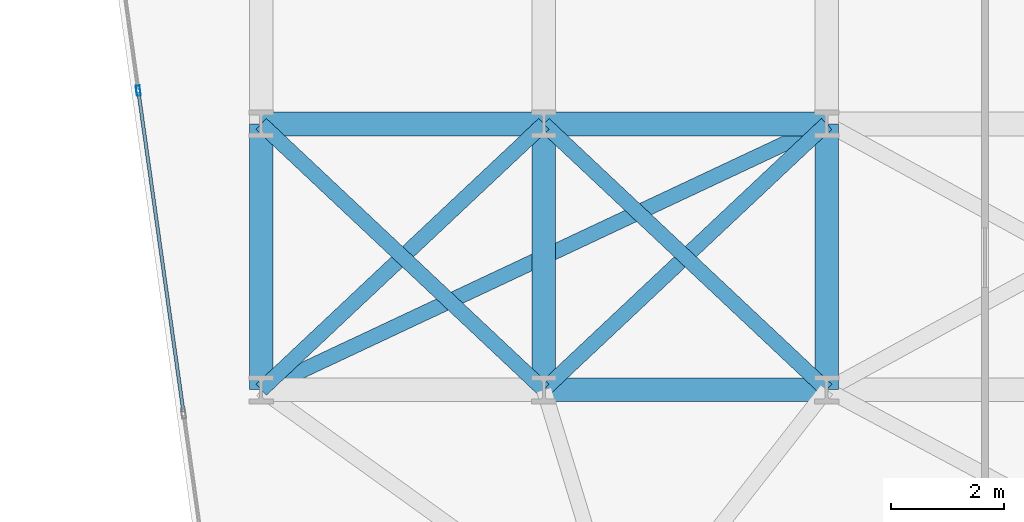
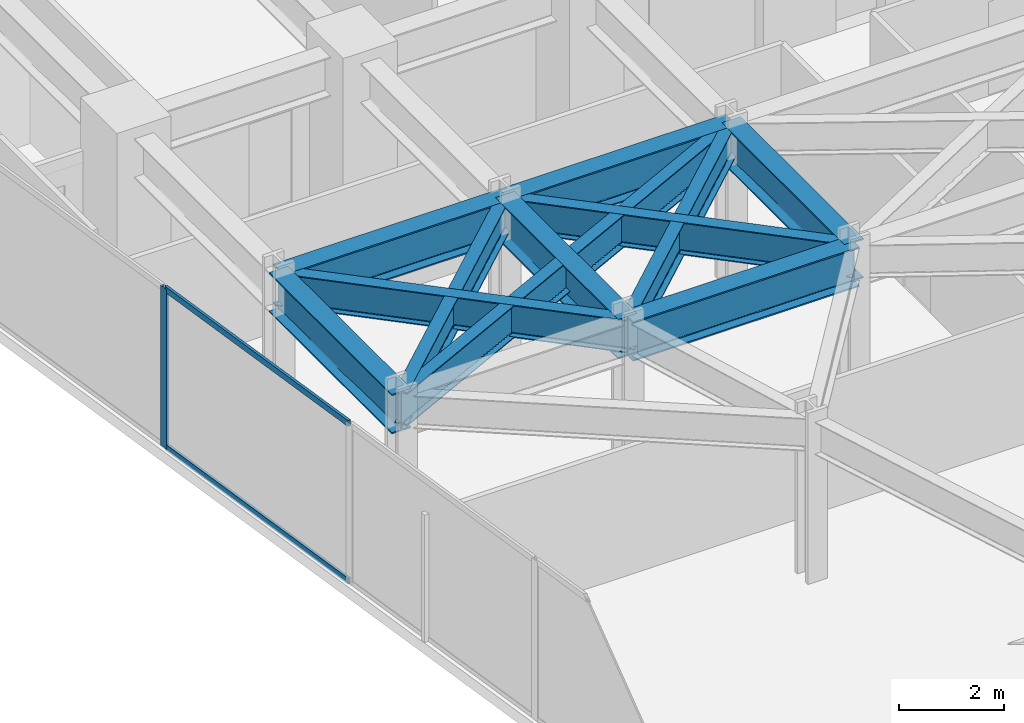
# One storey, part 8 of 24: 11 beams, 3 members, 1 element without a shape of its own.
"""IFC4 building model written with IfcOpenShell, lengths in metres."""

from ifc_helpers import new_model, si_unit, direction, frame, origin, origin_2d, place, context, subcontext, project, spatial, hollow_rectangle, i_section, extrude, material, layer, layer_set, material_profile, profile_set, type_object, element, aggregate, save


model = new_model("IFC4")

# Units and contexts
model_context = context("Model", 3, precision=1e-05, world=origin(), true_north=direction((0.0, 1.0)))
body_context = subcontext(model_context, "Body", "Model", "MODEL_VIEW")
ifc_project = project(units=[si_unit("LENGTHUNIT", "METRE"), si_unit("AREAUNIT", "SQUARE_METRE"), si_unit("VOLUMEUNIT", "CUBIC_METRE"), si_unit("PLANEANGLEUNIT", "RADIAN"), si_unit("MASSUNIT", "GRAM", prefix="KILO")], contexts=[model_context])

# Site, building, storey
site_placement = place(None, origin())
site = spatial("IfcSite", under=ifc_project, at=site_placement, CompositionType="ELEMENT")
building_placement = place(site_placement, origin())
building = spatial("IfcBuilding", under=site, at=building_placement, Name="Kravanh Interchange Tower", CompositionType="ELEMENT")
storey_placement = place(building_placement, frame((0.0, 0.0, 69.5)))
storey = spatial("IfcBuildingStorey", under=building, at=storey_placement, Name="L16", CompositionType="ELEMENT", Elevation=69.5)

# Curtain wall, members
ifc_material_1 = material(Name="Anodised Bronze Aluminium", Category="aluminium")
ifc_layer = layer(ifc_material_1, 0.179931640625)
ifc_layer_set = layer_set([ifc_layer], Name="Unitised Curtain Wall System CW-Z1 Lower Office")
curtain_wall_type = type_object("IfcCurtainWallType", Name="Unitised Curtain Wall System CW-Z1 Lower Office", PredefinedType="NOTDEFINED", material=ifc_layer_set)
curtain_wall_placement = place(storey_placement, origin())
curtain_wall = element("IfcCurtainWall", 1, at=curtain_wall_placement, inside=storey, type_object=curtain_wall_type, Name="L16 Unitised Curtain Wall CW-L16-01", PredefinedType="NOTDEFINED")
ifc_material_2 = material(Name="Anodised Bronze Aluminium", Category="aluminium")
ifc_material_profile_1 = material_profile(ifc_material_2, hollow_rectangle(XDim=0.070068359375, YDim=0.179931640625, WallThickness=0.00390625, at=origin_2d()), Name="ALU70X180X4")
ifc_profile_set_1 = profile_set([ifc_material_profile_1], Name="Anodised Bronze Aluminium")
member_type_1 = type_object("IfcMemberType", Name="Curtain Wall Mullion ALU70X180X4 Bronze", PredefinedType="MULLION", material=ifc_profile_set_1)
member_1_placement = place(storey_placement, frame((6.427490234375, 32.08935546875, 0.0), z_axis=(0.0, 0.0, 1.0), x_axis=(-0.990267585682, -0.139176538065, 0.0)))
member_1 = element("IfcMember", 2, at=member_1_placement, type_object=member_type_1, Name="CW-Z1 mullion 6", PredefinedType="MULLION", context=body_context, shape_type="SweptSolid", body=[
    extrude(hollow_rectangle(XDim=0.070068359375, YDim=0.179931640625, WallThickness=0.00390625, at=origin_2d()), origin(), (0.0, 0.0, 1.0), 3.739990234375),
])
ifc_material_3 = material(Name="Anodised Bronze Aluminium", Category="aluminium")
ifc_material_profile_2 = material_profile(ifc_material_3, hollow_rectangle(XDim=0.06005859375, YDim=0.139892578125, WallThickness=0.00390625, at=origin_2d()), Name="ALU60X140X4")
ifc_profile_set_2 = profile_set([ifc_material_profile_2], Name="Anodised Bronze Aluminium")
member_type_2 = type_object("IfcMemberType", Name="Curtain Wall Transom ALU60X140X4 Bronze", PredefinedType="USERDEFINED", material=ifc_profile_set_2)
member_2_placement = place(storey_placement, frame((7.22509765625, 26.41357421875, 0.030029296875), z_axis=(-0.139158957544, 0.990270056366, 0.0), x_axis=(-0.990270056366, -0.139158957544, 0.0)))
member_2 = element("IfcMember", 3, at=member_2_placement, type_object=member_type_2, Name="CW-Z1 transom 5.1", ObjectType="TRANSOM", PredefinedType="USERDEFINED", context=body_context, shape_type="SweptSolid", body=[
    extrude(hollow_rectangle(XDim=0.06005859375, YDim=0.139892578125, WallThickness=0.00390625, at=origin_2d()), origin(), (0.0, 0.0, 1.0), 5.696533203125),
])
member_3_placement = place(storey_placement, frame((7.22509765625, 26.41357421875, 3.7099609375), z_axis=(-0.139158957544, 0.990270056366, 0.0), x_axis=(-0.990270056366, -0.139158957544, 0.0)))
member_3 = element("IfcMember", 4, at=member_3_placement, type_object=member_type_2, Name="CW-Z1 transom 5.2", ObjectType="TRANSOM", PredefinedType="USERDEFINED", context=body_context, shape_type="SweptSolid", body=[
    extrude(hollow_rectangle(XDim=0.06005859375, YDim=0.139892578125, WallThickness=0.00390625, at=origin_2d()), origin(), (0.0, 0.0, 1.0), 5.696533203125),
])
aggregate(curtain_wall, [member_1, member_2, member_3])

# Beams
ifc_material_4 = material(Name="Structural Steel S355", Category="steel")
ifc_material_profile_3 = material_profile(ifc_material_4, i_section(OverallWidth=0.41796875, OverallDepth=0.927001953125, WebThickness=0.019287109375, FlangeThickness=0.031982421875, FilletRadius=0.028076171875, at=origin_2d()), Name="W36X231")
ifc_profile_set_3 = profile_set([ifc_material_profile_3], Name="Structural Steel S355")
beam_type_1 = type_object("IfcBeamType", Name="Floor Beam W36X231 Structural Steel S355", PredefinedType="BEAM", material=ifc_profile_set_3)
for number, where, z_axis, x_axis, name in (
    (5, (8.60009765625, 26.800048828125, 3.276611328125), (0.0, 1.0, 0.0), (-1.0, 0.0, 0.0), "L16 Primary Floor Girder 66"),
    (6, (13.60009765625, 26.800048828125, 3.276611328125), (0.0, 1.0, 0.0), (-1.0, 0.0, 0.0), "L16 Primary Floor Girder 70"),
):
    element("IfcBeam", number, at=place(storey_placement, frame(where, z_axis=z_axis, x_axis=x_axis)), inside=storey, type_object=beam_type_1, Name=name, PredefinedType="BEAM", context=body_context, shape_type="SweptSolid", body=[
        extrude(i_section(OverallWidth=0.41796875, OverallDepth=0.927001953125, WebThickness=0.019287109375, FlangeThickness=0.031982421875, FilletRadius=0.028076171875, at=origin_2d()), origin(), (0.0, 0.0, 1.0), 4.699951171875),
    ])
beam_1_placement = place(storey_placement, frame((13.60009765625, 26.800048828125, 3.276611328125), z_axis=(1.0, 0.0, 0.0), x_axis=(0.0, 1.0, 0.0)))
element("IfcBeam", 7, at=beam_1_placement, inside=storey, type_object=beam_type_1, Name="L16 Primary Floor Girder 71", PredefinedType="BEAM", context=body_context, shape_type="SweptSolid", body=[
    extrude(i_section(OverallWidth=0.41796875, OverallDepth=0.927001953125, WebThickness=0.019287109375, FlangeThickness=0.031982421875, FilletRadius=0.028076171875, at=origin_2d()), origin(), (0.0, 0.0, 1.0), 5.0),
])
beam_2_placement = place(storey_placement, frame((18.60009765625, 26.800048828125, 3.276611328125), z_axis=(0.0, 1.0, 0.0), x_axis=(-1.0, 0.0, 0.0)))
element("IfcBeam", 8, at=beam_2_placement, inside=storey, type_object=beam_type_1, Name="L16 Primary Floor Girder 74", PredefinedType="BEAM", context=body_context, shape_type="SweptSolid", body=[
    extrude(i_section(OverallWidth=0.41796875, OverallDepth=0.927001953125, WebThickness=0.019287109375, FlangeThickness=0.031982421875, FilletRadius=0.028076171875, at=origin_2d()), origin(), (0.0, 0.0, 1.0), 4.699951171875),
])
for number, where, z_axis, x_axis, name in (
    (9, (8.60009765625, 31.5, 3.276611328125), (1.0, 0.0, 0.0), (0.0, 1.0, 0.0), "L16 Primary Floor Girder 100"),
    (10, (13.60009765625, 31.5, 3.276611328125), (1.0, 0.0, 0.0), (0.0, 1.0, 0.0), "L16 Primary Floor Girder 101"),
):
    element("IfcBeam", number, at=place(storey_placement, frame(where, z_axis=z_axis, x_axis=x_axis)), inside=storey, type_object=beam_type_1, Name=name, PredefinedType="BEAM", context=body_context, shape_type="SweptSolid", body=[
        extrude(i_section(OverallWidth=0.41796875, OverallDepth=0.927001953125, WebThickness=0.019287109375, FlangeThickness=0.031982421875, FilletRadius=0.028076171875, at=origin_2d()), origin(), (0.0, 0.0, 1.0), 5.0),
    ])
ifc_material_5 = material(Name="Structural Steel S355", Category="steel")
ifc_material_profile_4 = material_profile(ifc_material_5, i_section(OverallWidth=0.26708984375, OverallDepth=0.761962890625, WebThickness=0.014404296875, FlangeThickness=0.021484375, FilletRadius=0.02490234375, at=origin_2d()), Name="W30X116")
ifc_profile_set_4 = profile_set([ifc_material_profile_4], Name="Structural Steel S355")
beam_type_2 = type_object("IfcBeamType", Name="Floor Spandrel W30X116 Structural Steel S355", PredefinedType="SPANDREL", material=ifc_profile_set_4)
beam_3_placement = place(storey_placement, frame((8.60009765625, 26.800048828125, 3.35888671875), z_axis=(0.728631219862, 0.684906231131, 0.0), x_axis=(-0.684906231131, 0.728631219862, 0.0)))
element("IfcBeam", 11, at=beam_3_placement, inside=storey, type_object=beam_type_2, Name="L16 Perimeter Spandrel 68", PredefinedType="SPANDREL", context=body_context, shape_type="SweptSolid", body=[
    extrude(i_section(OverallWidth=0.26708984375, OverallDepth=0.761962890625, WebThickness=0.014404296875, FlangeThickness=0.021484375, FilletRadius=0.02490234375, at=origin_2d()), origin(), (0.0, 0.0, 1.0), 6.862060546875),
])
beam_4_placement = place(storey_placement, frame((8.60009765625, 26.800048828125, 3.35888671875), z_axis=(0.905025402916, 0.425357520301, 0.0), x_axis=(-0.425357520301, 0.905025402916, 0.0)))
element("IfcBeam", 12, at=beam_4_placement, inside=storey, type_object=beam_type_2, Name="L16 Perimeter Spandrel 69", PredefinedType="SPANDREL", context=body_context, shape_type="SweptSolid", body=[
    extrude(i_section(OverallWidth=0.26708984375, OverallDepth=0.761962890625, WebThickness=0.014404296875, FlangeThickness=0.021484375, FilletRadius=0.02490234375, at=origin_2d()), origin(), (0.0, 0.0, 1.0), 11.04931640625),
])
for number, where, z_axis, x_axis, name in (
    (13, (13.60009765625, 26.800048828125, 3.35888671875), (-0.728631219862, 0.684906231131, 0.0), (-0.684906231131, -0.728631219862, 0.0), "L16 Perimeter Spandrel 72"),
    (14, (13.60009765625, 26.800048828125, 3.35888671875), (0.728631219862, 0.684906231131, 0.0), (-0.684906231131, 0.728631219862, 0.0), "L16 Perimeter Spandrel 73"),
    (15, (18.60009765625, 26.800048828125, 3.35888671875), (-0.728631219862, 0.684906231131, 0.0), (-0.684906231131, -0.728631219862, 0.0), "L16 Perimeter Spandrel 75"),
):
    element("IfcBeam", number, at=place(storey_placement, frame(where, z_axis=z_axis, x_axis=x_axis)), inside=storey, type_object=beam_type_2, Name=name, PredefinedType="SPANDREL", context=body_context, shape_type="SweptSolid", body=[
        extrude(i_section(OverallWidth=0.26708984375, OverallDepth=0.761962890625, WebThickness=0.014404296875, FlangeThickness=0.021484375, FilletRadius=0.02490234375, at=origin_2d()), origin(), (0.0, 0.0, 1.0), 6.862060546875),
    ])

save(model, "model.ifc")
